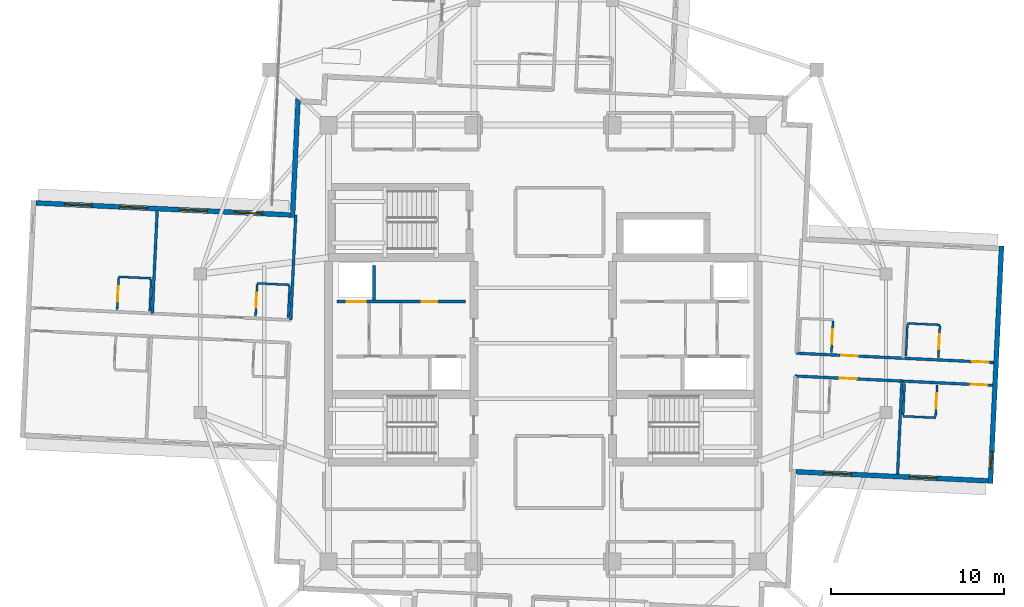
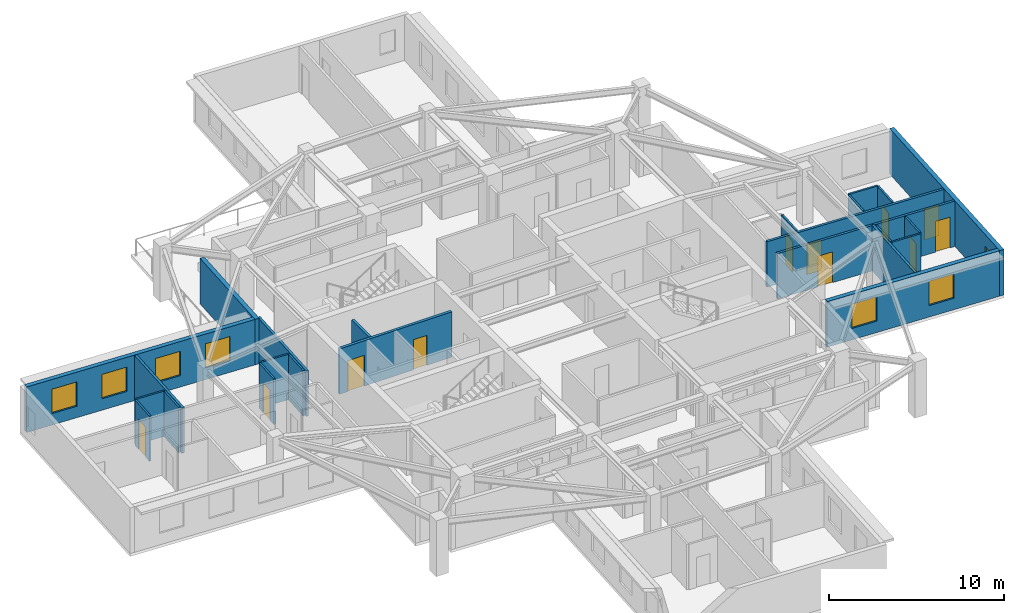
# One storey, part 6 of 12: 24 walls, 11 doors, 7 windows, 18 openings.
"""IFC4 building model written with IfcOpenShell, lengths in metres."""

from ifc_helpers import new_model, si_unit, direction, frame, frame_2d, origin, place, context, subcontext, project, spatial, rectangle, extrude, material, layer, layer_set, type_object, element, fill, save


model = new_model("IFC4")

# Units and contexts
model_context = context("Model", 3, precision=1e-05, world=origin(), true_north=direction((0.0, 1.0)))
body_context = subcontext(model_context, "Body", "Model", "MODEL_VIEW")
ifc_project = project(units=[si_unit("LENGTHUNIT", "METRE"), si_unit("AREAUNIT", "SQUARE_METRE"), si_unit("VOLUMEUNIT", "CUBIC_METRE"), si_unit("PLANEANGLEUNIT", "RADIAN"), si_unit("MASSUNIT", "GRAM", prefix="KILO")], contexts=[model_context])

# Site, building, storey
site_placement = place(None, origin())
site = spatial("IfcSite", under=ifc_project, at=site_placement, CompositionType="ELEMENT")
building_placement = place(site_placement, origin())
building = spatial("IfcBuilding", under=site, at=building_placement, Name="Qingluan Cross Belvedere", CompositionType="ELEMENT")
storey_placement = place(building_placement, frame((0.0, 0.0, 253.800048828125)))
storey = spatial("IfcBuildingStorey", under=building, at=storey_placement, Name="L63", CompositionType="ELEMENT", Elevation=253.800048828125)

# Wall, openings, doors
ifc_material_1 = material(Name="Gypsum plasterboard on steel stud acoustic partition", Category="steel")
ifc_layer_1 = layer(ifc_material_1, 0.159912109375, Name="CorridorPartition_160")
ifc_layer_set_1 = layer_set([ifc_layer_1], Name="Gypsum plasterboard on steel stud acoustic partition")
wall_type_1 = type_object("IfcWallType", Name="CorridorPartition_160", PredefinedType="PARTITIONING", material=ifc_layer_set_1)
wall_1_placement = place(storey_placement, frame((14.609375, -0.56884765625, 0.0), z_axis=(0.0, 0.0, 1.0), x_axis=(0.998889813379, -0.047107756555, 0.0)))
wall_1 = element("IfcWall", 1, at=wall_1_placement, inside=storey, type_object=wall_type_1, Name="Partition L63:E:c0", PredefinedType="PARTITIONING", context=body_context, shape_type="SweptSolid", body=[
    extrude(rectangle(XDim=11.412109375, YDim=0.159912109375, at=frame_2d((5.7060546875, 0.0))), origin(), (0.0, 0.0, 1.0), 3.169921875),
])
opening_1_placement = place(wall_1_placement, frame((2.597900390625, 0.0, 0.0)))
opening_1 = element("IfcOpeningElement", 2, at=opening_1_placement, cuts=wall_1, Name="Opening GD-10", PredefinedType="OPENING", context=body_context, shape_type="SweptSolid", body=[
    extrude(rectangle(XDim=0.9599609375, YDim=2.14990234375, at=frame_2d((0.47998046875, 1.074951171875))), frame((0.0, 0.08984375, 0.0), z_axis=(0.0, -1.0, 0.0), x_axis=(1.0, 0.0, 0.0)), (0.0, 0.0, 1.0), 0.179931640625),
])
opening_2_placement = place(wall_1_placement, frame((10.159912109375, 0.0, 0.0)))
opening_2 = element("IfcOpeningElement", 3, at=opening_2_placement, cuts=wall_1, Name="Opening GD-10", PredefinedType="OPENING", context=body_context, shape_type="SweptSolid", body=[
    extrude(rectangle(XDim=0.9599609375, YDim=2.14990234375, at=frame_2d((0.47998046875, 1.074951171875))), frame((0.0, 0.08984375, 0.0), z_axis=(0.0, -1.0, 0.0), x_axis=(1.0, 0.0, 0.0)), (0.0, 0.0, 1.0), 0.179931640625),
])
ifc_material_2 = material(Name="Timber oak fire-rated acoustic guestroom door", Category="wood")
door_type_1 = type_object("IfcDoorType", Name="GuestEntryDoor_FD60", OperationType="NOTDEFINED", PredefinedType="DOOR", material=ifc_material_2)
door_1_placement = place(opening_1_placement, origin())
door_1 = element("IfcDoor", 4, at=door_1_placement, inside=storey, type_object=door_type_1, Name="Guest entry fire door 6301", OperationType="SINGLE_SWING_LEFT", OverallHeight=2.14990234375, OverallWidth=0.9599609375, PredefinedType="DOOR", context=body_context, shape_type="SweptSolid", body=[
    extrude(rectangle(XDim=0.9599609375, YDim=2.14990234375, at=frame_2d((0.47998046875, 1.074951171875))), frame((0.0, 0.02490234375, 0.0), z_axis=(0.0, -1.0, 0.0), x_axis=(1.0, 0.0, 0.0)), (0.0, 0.0, 1.0), 0.050048828125),
])
fill(opening_1, door_1)
door_2_placement = place(opening_2_placement, origin())
door_2 = element("IfcDoor", 5, at=door_2_placement, inside=storey, type_object=door_type_1, Name="Guest entry fire door 6302", OperationType="SINGLE_SWING_LEFT", OverallHeight=2.14990234375, OverallWidth=0.9599609375, PredefinedType="DOOR", context=body_context, shape_type="SweptSolid", body=[
    extrude(rectangle(XDim=0.9599609375, YDim=2.14990234375, at=frame_2d((0.47998046875, 1.074951171875))), frame((0.0, 0.02490234375, 0.0), z_axis=(0.0, -1.0, 0.0), x_axis=(1.0, 0.0, 0.0)), (0.0, 0.0, 1.0), 0.050048828125),
])
fill(opening_2, door_2)

wall_2_placement = place(storey_placement, frame((14.547119140625, -1.887451171875, 0.0), z_axis=(0.0, 0.0, 1.0), x_axis=(0.998890819817, -0.047086410829, 0.0)))
wall_2 = element("IfcWall", 6, at=wall_2_placement, inside=storey, type_object=wall_type_1, Name="Partition L63:E:c1", PredefinedType="PARTITIONING", context=body_context, shape_type="SweptSolid", body=[
    extrude(rectangle(XDim=11.412109375, YDim=0.159912109375, at=frame_2d((5.7060546875, 0.0))), origin(), (0.0, 0.0, 1.0), 3.169921875),
])
opening_3_placement = place(wall_2_placement, frame((2.597900390625, 0.0, 0.0)))
opening_3 = element("IfcOpeningElement", 7, at=opening_3_placement, cuts=wall_2, Name="Opening GD-10", PredefinedType="OPENING", context=body_context, shape_type="SweptSolid", body=[
    extrude(rectangle(XDim=0.9599609375, YDim=2.14990234375, at=frame_2d((0.47998046875, 1.074951171875))), frame((0.0, 0.08984375, 0.0), z_axis=(0.0, -1.0, 0.0), x_axis=(1.0, 0.0, 0.0)), (0.0, 0.0, 1.0), 0.179931640625),
])
opening_4_placement = place(wall_2_placement, frame((10.159912109375, 0.0, 0.0)))
opening_4 = element("IfcOpeningElement", 8, at=opening_4_placement, cuts=wall_2, Name="Opening GD-10", PredefinedType="OPENING", context=body_context, shape_type="SweptSolid", body=[
    extrude(rectangle(XDim=0.9599609375, YDim=2.14990234375, at=frame_2d((0.47998046875, 1.074951171875))), frame((0.0, 0.08984375, 0.0), z_axis=(0.0, -1.0, 0.0), x_axis=(1.0, 0.0, 0.0)), (0.0, 0.0, 1.0), 0.179931640625),
])
door_3_placement = place(opening_3_placement, origin())
door_3 = element("IfcDoor", 9, at=door_3_placement, inside=storey, type_object=door_type_1, Name="Guest entry fire door 6303", OperationType="SINGLE_SWING_LEFT", OverallHeight=2.14990234375, OverallWidth=0.9599609375, PredefinedType="DOOR", context=body_context, shape_type="SweptSolid", body=[
    extrude(rectangle(XDim=0.9599609375, YDim=2.14990234375, at=frame_2d((0.47998046875, 1.074951171875))), frame((0.0, 0.02490234375, 0.0), z_axis=(0.0, -1.0, 0.0), x_axis=(1.0, 0.0, 0.0)), (0.0, 0.0, 1.0), 0.050048828125),
])
fill(opening_3, door_3)
door_4_placement = place(opening_4_placement, origin())
door_4 = element("IfcDoor", 10, at=door_4_placement, inside=storey, type_object=door_type_1, Name="Guest entry fire door 6304", OperationType="SINGLE_SWING_LEFT", OverallHeight=2.14990234375, OverallWidth=0.9599609375, PredefinedType="DOOR", context=body_context, shape_type="SweptSolid", body=[
    extrude(rectangle(XDim=0.9599609375, YDim=2.14990234375, at=frame_2d((0.47998046875, 1.074951171875))), frame((0.0, 0.02490234375, 0.0), z_axis=(0.0, -1.0, 0.0), x_axis=(1.0, 0.0, 0.0)), (0.0, 0.0, 1.0), 0.050048828125),
])
fill(opening_4, door_4)

# Walls
wall_3_placement = place(storey_placement, frame((20.720458984375, -2.178466796875, 0.0), z_axis=(0.0, 0.0, 1.0), x_axis=(-0.047128973049, -0.998888812581, 0.0)))
element("IfcWall", 11, at=wall_3_placement, inside=storey, type_object=wall_type_1, Name="Partition L63:E:d1_0", PredefinedType="PARTITIONING", context=body_context, shape_type="SweptSolid", body=[
    extrude(rectangle(XDim=5.371826171875, YDim=0.159912109375, at=frame_2d((2.68603515625, 0.0))), origin(), (0.0, 0.0, 1.0), 3.169921875),
])
wall_4_placement = place(storey_placement, frame((-14.57275390625, 1.347900390625, 0.0), z_axis=(0.0, 0.0, 1.0), x_axis=(0.047136383867, 0.998888462901, 0.0)))
element("IfcWall", 12, at=wall_4_placement, inside=storey, type_object=wall_type_1, Name="Partition L63:W:s0", PredefinedType="PARTITIONING", context=body_context, shape_type="SweptSolid", body=[
    extrude(rectangle(XDim=6.06005859375, YDim=0.159912109375, at=frame_2d((3.030029296875, 0.0))), origin(), (0.0, 0.0, 1.0), 3.169921875),
])
wall_5_placement = place(storey_placement, frame((-22.56787109375, 1.72509765625, 0.0), z_axis=(0.0, 0.0, 1.0), x_axis=(0.047119754893, 0.998889247464, 0.0)))
element("IfcWall", 13, at=wall_5_placement, inside=storey, type_object=wall_type_1, Name="Partition L63:W:d0_0", PredefinedType="PARTITIONING", context=body_context, shape_type="SweptSolid", body=[
    extrude(rectangle(XDim=5.911865234375, YDim=0.159912109375, at=frame_2d((2.9560546875, 0.0))), origin(), (0.0, 0.0, 1.0), 3.169921875),
])

# Wall, opening, door
ifc_material_3 = material(Name="Moisture-resistant gypsum board lining")
ifc_layer_2 = layer(ifc_material_3, 0.1201171875, Name="EnsuiteWetPartition_120")
ifc_layer_set_2 = layer_set([ifc_layer_2], Name="Moisture-resistant gypsum board lining")
wall_type_2 = type_object("IfcWallType", Name="EnsuiteWetPartition_120", PredefinedType="PARTITIONING", material=ifc_layer_set_2)
wall_6_placement = place(storey_placement, frame((16.65380859375, -0.525146484375, 0.0), z_axis=(0.0, 0.0, 1.0), x_axis=(0.047080807099, 0.998891083954, 0.0)))
wall_6 = element("IfcWall", 14, at=wall_6_placement, inside=storey, type_object=wall_type_2, Name="Partition L63:E:bs0_0", PredefinedType="PARTITIONING", context=body_context, shape_type="SweptSolid", body=[
    extrude(rectangle(XDim=1.820068359375, YDim=0.1201171875, at=frame_2d((0.91015625, 0.0))), origin(), (0.0, 0.0, 1.0), 3.169921875),
])
opening_5_placement = place(wall_6_placement, frame((0.469970703125, 0.0, 0.0)))
opening_5 = element("IfcOpeningElement", 15, at=opening_5_placement, cuts=wall_6, Name="Opening BD-09", PredefinedType="OPENING", context=body_context, shape_type="SweptSolid", body=[
    extrude(rectangle(XDim=0.8798828125, YDim=2.10009765625, at=frame_2d((0.43994140625, 1.050048828125))), frame((0.0, 0.070068359375, 0.0), z_axis=(0.0, -1.0, 0.0), x_axis=(1.0, 0.0, 0.0)), (0.0, 0.0, 1.0), 0.14013671875),
])
ifc_material_4 = material(Name="Moisture-sealed timber en-suite door", Category="wood")
door_type_2 = type_object("IfcDoorType", Name="BathroomDoor_880", OperationType="NOTDEFINED", PredefinedType="DOOR", material=ifc_material_4)
door_5_placement = place(opening_5_placement, origin())
door_5 = element("IfcDoor", 16, at=door_5_placement, inside=storey, type_object=door_type_2, Name="Bathroom door 6301", OperationType="SINGLE_SWING_RIGHT", OverallHeight=2.10009765625, OverallWidth=0.8798828125, PredefinedType="DOOR", context=body_context, shape_type="SweptSolid", body=[
    extrude(rectangle(XDim=0.8798828125, YDim=2.10009765625, at=frame_2d((0.43994140625, 1.050048828125))), frame((0.0, 0.02490234375, 0.0), z_axis=(0.0, -1.0, 0.0), x_axis=(1.0, 0.0, 0.0)), (0.0, 0.0, 1.0), 0.050048828125),
])
fill(opening_5, door_5)

wall_7_placement = place(storey_placement, frame((22.826904296875, -0.816162109375, 0.0), z_axis=(0.0, 0.0, 1.0), x_axis=(0.047087116047, 0.998890786574, 0.0)))
wall_7 = element("IfcWall", 17, at=wall_7_placement, inside=storey, type_object=wall_type_2, Name="Partition L63:E:bs0_1", PredefinedType="PARTITIONING", context=body_context, shape_type="SweptSolid", body=[
    extrude(rectangle(XDim=1.81982421875, YDim=0.1201171875, at=frame_2d((0.909912109375, 0.0))), origin(), (0.0, 0.0, 1.0), 3.169921875),
])
opening_6_placement = place(wall_7_placement, frame((0.469970703125, 0.0, 0.0)))
opening_6 = element("IfcOpeningElement", 18, at=opening_6_placement, cuts=wall_7, Name="Opening BD-09", PredefinedType="OPENING", context=body_context, shape_type="SweptSolid", body=[
    extrude(rectangle(XDim=0.8798828125, YDim=2.10009765625, at=frame_2d((0.43994140625, 1.050048828125))), frame((0.0, 0.070068359375, 0.0), z_axis=(0.0, -1.0, 0.0), x_axis=(1.0, 0.0, 0.0)), (0.0, 0.0, 1.0), 0.14013671875),
])
door_6_placement = place(opening_6_placement, origin())
door_6 = element("IfcDoor", 19, at=door_6_placement, inside=storey, type_object=door_type_2, Name="Bathroom door 6302", OperationType="SINGLE_SWING_RIGHT", OverallHeight=2.10009765625, OverallWidth=0.8798828125, PredefinedType="DOOR", context=body_context, shape_type="SweptSolid", body=[
    extrude(rectangle(XDim=0.8798828125, YDim=2.10009765625, at=frame_2d((0.43994140625, 1.050048828125))), frame((0.0, 0.02490234375, 0.0), z_axis=(0.0, -1.0, 0.0), x_axis=(1.0, 0.0, 0.0)), (0.0, 0.0, 1.0), 0.050048828125),
])
fill(opening_6, door_6)

# Walls
wall_8_placement = place(storey_placement, frame((20.948974609375, -0.7275390625, 0.0), z_axis=(0.0, 0.0, 1.0), x_axis=(0.047087116047, 0.998890786574, 0.0)))
element("IfcWall", 20, at=wall_8_placement, inside=storey, type_object=wall_type_2, Name="Partition L63:E:bw0_1", PredefinedType="PARTITIONING", context=body_context, shape_type="SweptSolid", body=[
    extrude(rectangle(XDim=1.81982421875, YDim=0.1201171875, at=frame_2d((0.909912109375, 0.0))), origin(), (0.0, 0.0, 1.0), 3.169921875),
])
wall_9_placement = place(storey_placement, frame((21.037841796875, 1.1552734375, 0.0), z_axis=(0.0, 0.0, 1.0), x_axis=(0.998888319371, -0.047139425368, 0.0)))
element("IfcWall", 21, at=wall_9_placement, inside=storey, type_object=wall_type_2, Name="Partition L63:E:bn0_1", PredefinedType="PARTITIONING", context=body_context, shape_type="SweptSolid", body=[
    extrude(rectangle(XDim=1.880126953125, YDim=0.1201171875, at=frame_2d((0.93994140625, 0.0))), origin(), (0.0, 0.0, 1.0), 3.169921875),
])

# Wall, opening, door
wall_10_placement = place(storey_placement, frame((22.665771484375, -4.232421875, 0.0), z_axis=(0.0, 0.0, 1.0), x_axis=(0.047080807099, 0.998891083954, 0.0)))
wall_10 = element("IfcWall", 22, at=wall_10_placement, inside=storey, type_object=wall_type_2, Name="Partition L63:E:bs1_1", PredefinedType="PARTITIONING", context=body_context, shape_type="SweptSolid", body=[
    extrude(rectangle(XDim=1.820068359375, YDim=0.1201171875, at=frame_2d((0.91015625, 0.0))), origin(), (0.0, 0.0, 1.0), 3.169921875),
])
opening_7_placement = place(wall_10_placement, frame((0.469970703125, 0.0, 0.0)))
opening_7 = element("IfcOpeningElement", 23, at=opening_7_placement, cuts=wall_10, Name="Opening BD-09", PredefinedType="OPENING", context=body_context, shape_type="SweptSolid", body=[
    extrude(rectangle(XDim=0.8798828125, YDim=2.10009765625, at=frame_2d((0.43994140625, 1.050048828125))), frame((0.0, 0.070068359375, 0.0), z_axis=(0.0, -1.0, 0.0), x_axis=(1.0, 0.0, 0.0)), (0.0, 0.0, 1.0), 0.14013671875),
])
door_7_placement = place(opening_7_placement, origin())
door_7 = element("IfcDoor", 24, at=door_7_placement, inside=storey, type_object=door_type_2, Name="Bathroom door 6304", OperationType="SINGLE_SWING_RIGHT", OverallHeight=2.10009765625, OverallWidth=0.8798828125, PredefinedType="DOOR", context=body_context, shape_type="SweptSolid", body=[
    extrude(rectangle(XDim=0.8798828125, YDim=2.10009765625, at=frame_2d((0.43994140625, 1.050048828125))), frame((0.0, 0.02490234375, 0.0), z_axis=(0.0, -1.0, 0.0), x_axis=(1.0, 0.0, 0.0)), (0.0, 0.0, 1.0), 0.050048828125),
])
fill(opening_7, door_7)

# Walls
wall_11_placement = place(storey_placement, frame((20.787841796875, -4.143798828125, 0.0), z_axis=(0.0, 0.0, 1.0), x_axis=(0.047087116047, 0.998890786574, 0.0)))
element("IfcWall", 25, at=wall_11_placement, inside=storey, type_object=wall_type_2, Name="Partition L63:E:bw1_1", PredefinedType="PARTITIONING", context=body_context, shape_type="SweptSolid", body=[
    extrude(rectangle(XDim=1.81982421875, YDim=0.1201171875, at=frame_2d((0.909912109375, 0.0))), origin(), (0.0, 0.0, 1.0), 3.169921875),
])
wall_12_placement = place(storey_placement, frame((20.784912109375, -4.208740234375, 0.0), z_axis=(0.0, 0.0, 1.0), x_axis=(0.998888030748, -0.047145540913, 0.0)))
element("IfcWall", 26, at=wall_12_placement, inside=storey, type_object=wall_type_2, Name="Partition L63:E:bc1_1", PredefinedType="PARTITIONING", context=body_context, shape_type="SweptSolid", body=[
    extrude(rectangle(XDim=1.8798828125, YDim=0.1201171875, at=frame_2d((0.93994140625, 0.0))), origin(), (0.0, 0.0, 1.0), 3.169921875),
])

# Wall, opening, door
wall_13_placement = place(storey_placement, frame((-16.603759765625, 1.583984375, 0.0), z_axis=(0.0, 0.0, 1.0), x_axis=(0.047087116047, 0.998890786574, 0.0)))
wall_13 = element("IfcWall", 27, at=wall_13_placement, inside=storey, type_object=wall_type_2, Name="Partition L63:W:bs0_0", PredefinedType="PARTITIONING", context=body_context, shape_type="SweptSolid", body=[
    extrude(rectangle(XDim=1.81982421875, YDim=0.1201171875, at=frame_2d((0.909912109375, 0.0))), origin(), (0.0, 0.0, 1.0), 3.169921875),
])
opening_8_placement = place(wall_13_placement, frame((0.469970703125, 0.0, 0.0)))
opening_8 = element("IfcOpeningElement", 28, at=opening_8_placement, cuts=wall_13, Name="Opening BD-09", PredefinedType="OPENING", context=body_context, shape_type="SweptSolid", body=[
    extrude(rectangle(XDim=0.8798828125, YDim=2.10009765625, at=frame_2d((0.43994140625, 1.050048828125))), frame((0.0, 0.070068359375, 0.0), z_axis=(0.0, -1.0, 0.0), x_axis=(1.0, 0.0, 0.0)), (0.0, 0.0, 1.0), 0.14013671875),
])
door_8_placement = place(opening_8_placement, origin())
door_8 = element("IfcDoor", 29, at=door_8_placement, inside=storey, type_object=door_type_2, Name="Bathroom door 6305", OperationType="SINGLE_SWING_RIGHT", OverallHeight=2.10009765625, OverallWidth=0.8798828125, PredefinedType="DOOR", context=body_context, shape_type="SweptSolid", body=[
    extrude(rectangle(XDim=0.8798828125, YDim=2.10009765625, at=frame_2d((0.43994140625, 1.050048828125))), frame((0.0, 0.02490234375, 0.0), z_axis=(0.0, -1.0, 0.0), x_axis=(1.0, 0.0, 0.0)), (0.0, 0.0, 1.0), 0.050048828125),
])
fill(opening_8, door_8)

# Walls
wall_14_placement = place(storey_placement, frame((-14.725830078125, 1.495361328125, 0.0), z_axis=(0.0, 0.0, 1.0), x_axis=(0.047087116047, 0.998890786574, 0.0)))
element("IfcWall", 30, at=wall_14_placement, inside=storey, type_object=wall_type_2, Name="Partition L63:W:bw0_0", PredefinedType="PARTITIONING", context=body_context, shape_type="SweptSolid", body=[
    extrude(rectangle(XDim=1.81982421875, YDim=0.1201171875, at=frame_2d((0.909912109375, 0.0))), origin(), (0.0, 0.0, 1.0), 3.169921875),
])
wall_15_placement = place(storey_placement, frame((-14.63720703125, 3.37841796875, 0.0), z_axis=(0.0, 0.0, 1.0), x_axis=(-0.998894138717, 0.04701595088, 0.0)))
element("IfcWall", 31, at=wall_15_placement, inside=storey, type_object=wall_type_2, Name="Partition L63:W:bn0_0", PredefinedType="PARTITIONING", context=body_context, shape_type="SweptSolid", body=[
    extrude(rectangle(XDim=1.8798828125, YDim=0.1201171875, at=frame_2d((0.93994140625, 0.0))), origin(), (0.0, 0.0, 1.0), 3.169921875),
])

# Wall, opening, door
wall_16_placement = place(storey_placement, frame((-24.598876953125, 1.9609375, 0.0), z_axis=(0.0, 0.0, 1.0), x_axis=(0.047087116047, 0.998890786574, 0.0)))
wall_16 = element("IfcWall", 32, at=wall_16_placement, inside=storey, type_object=wall_type_2, Name="Partition L63:W:bs0_1", PredefinedType="PARTITIONING", context=body_context, shape_type="SweptSolid", body=[
    extrude(rectangle(XDim=1.81982421875, YDim=0.1201171875, at=frame_2d((0.909912109375, 0.0))), origin(), (0.0, 0.0, 1.0), 3.169921875),
])
opening_9_placement = place(wall_16_placement, frame((0.469970703125, 0.0, 0.0)))
opening_9 = element("IfcOpeningElement", 33, at=opening_9_placement, cuts=wall_16, Name="Opening BD-09", PredefinedType="OPENING", context=body_context, shape_type="SweptSolid", body=[
    extrude(rectangle(XDim=0.8798828125, YDim=2.10009765625, at=frame_2d((0.43994140625, 1.050048828125))), frame((0.0, 0.070068359375, 0.0), z_axis=(0.0, -1.0, 0.0), x_axis=(1.0, 0.0, 0.0)), (0.0, 0.0, 1.0), 0.14013671875),
])
door_9_placement = place(opening_9_placement, origin())
door_9 = element("IfcDoor", 34, at=door_9_placement, inside=storey, type_object=door_type_2, Name="Bathroom door 6306", OperationType="SINGLE_SWING_RIGHT", OverallHeight=2.10009765625, OverallWidth=0.8798828125, PredefinedType="DOOR", context=body_context, shape_type="SweptSolid", body=[
    extrude(rectangle(XDim=0.8798828125, YDim=2.10009765625, at=frame_2d((0.43994140625, 1.050048828125))), frame((0.0, 0.02490234375, 0.0), z_axis=(0.0, -1.0, 0.0), x_axis=(1.0, 0.0, 0.0)), (0.0, 0.0, 1.0), 0.050048828125),
])
fill(opening_9, door_9)

# Walls
wall_17_placement = place(storey_placement, frame((-22.720947265625, 1.872314453125, 0.0), z_axis=(0.0, 0.0, 1.0), x_axis=(0.047080807099, 0.998891083954, 0.0)))
element("IfcWall", 35, at=wall_17_placement, inside=storey, type_object=wall_type_2, Name="Partition L63:W:bw0_1", PredefinedType="PARTITIONING", context=body_context, shape_type="SweptSolid", body=[
    extrude(rectangle(XDim=1.820068359375, YDim=0.1201171875, at=frame_2d((0.91015625, 0.0))), origin(), (0.0, 0.0, 1.0), 3.169921875),
])
wall_18_placement = place(storey_placement, frame((-22.632080078125, 3.75537109375, 0.0), z_axis=(0.0, 0.0, 1.0), x_axis=(-0.998888319371, 0.047139425368, 0.0)))
element("IfcWall", 36, at=wall_18_placement, inside=storey, type_object=wall_type_2, Name="Partition L63:W:bn0_1", PredefinedType="PARTITIONING", context=body_context, shape_type="SweptSolid", body=[
    extrude(rectangle(XDim=1.880126953125, YDim=0.1201171875, at=frame_2d((0.93994140625, 0.0))), origin(), (0.0, 0.0, 1.0), 3.169921875),
])

# Wall, openings, windows
ifc_material_5 = material(Name="Precast concrete C45", Category="concrete")
ifc_layer_3 = layer(ifc_material_5, 0.280029296875, Name="PrecastFacadeWall_280")
ifc_layer_set_3 = layer_set([ifc_layer_3], Name="Precast concrete C45")
wall_type_3 = type_object("IfcWallType", Name="PrecastFacadeWall_280", PredefinedType="STANDARD", material=ifc_layer_set_3)
wall_19_placement = place(storey_placement, frame((14.60693359375, -7.416259765625, 0.0), z_axis=(0.0, 0.0, 1.0), x_axis=(0.998889582088, -0.047112660681, 0.0)))
wall_19 = element("IfcWall", 37, at=wall_19_placement, inside=storey, type_object=wall_type_3, Name="Facade wall L63-EA", PredefinedType="STANDARD", context=body_context, shape_type="SweptSolid", body=[
    extrude(rectangle(XDim=11.099853515625, YDim=0.280029296875, at=frame_2d((5.5498046875, 0.0))), origin(), (0.0, 0.0, 1.0), 3.179931640625),
])
opening_10_placement = place(wall_19_placement, frame((1.60009765625, 0.0, 0.800048828125)))
opening_10 = element("IfcOpeningElement", 38, at=opening_10_placement, cuts=wall_19, Name="Opening W-04", PredefinedType="OPENING", context=body_context, shape_type="SweptSolid", body=[
    extrude(rectangle(XDim=1.60009765625, YDim=1.699951171875, at=frame_2d((0.800048828125, 0.85009765625))), frame((0.0, 0.14990234375, 0.0), z_axis=(0.0, -1.0, 0.0), x_axis=(1.0, 0.0, 0.0)), (0.0, 0.0, 1.0), 0.300048828125),
])
opening_11_placement = place(wall_19_placement, frame((6.550048828125, 0.0, 0.800048828125)))
opening_11 = element("IfcOpeningElement", 39, at=opening_11_placement, cuts=wall_19, Name="Opening W-04", PredefinedType="OPENING", context=body_context, shape_type="SweptSolid", body=[
    extrude(rectangle(XDim=1.60009765625, YDim=1.699951171875, at=frame_2d((0.800048828125, 0.85009765625))), frame((0.0, 0.14990234375, 0.0), z_axis=(0.0, -1.0, 0.0), x_axis=(1.0, 0.0, 0.0)), (0.0, 0.0, 1.0), 0.300048828125),
])
ifc_material_6 = material(Name="Thermally broken triple Low-E glass in aluminium frame", Category="aluminium")
window_type_1 = type_object("IfcWindowType", Name="SuiteCornerWin_1600x1700", PartitioningType="SINGLE_PANEL", PredefinedType="WINDOW", material=ifc_material_6)
window_1_placement = place(opening_10_placement, origin())
window_1 = element("IfcWindow", 40, at=window_1_placement, inside=storey, type_object=window_type_1, Name="Ribbon window L63-EA-1", OverallHeight=1.699951171875, OverallWidth=1.60009765625, PartitioningType="SINGLE_PANEL", PredefinedType="WINDOW", context=body_context, shape_type="SweptSolid", body=[
    extrude(rectangle(XDim=1.60009765625, YDim=1.699951171875, at=frame_2d((0.800048828125, 0.85009765625))), frame((0.0, 0.030029296875, 0.0), z_axis=(0.0, -1.0, 0.0), x_axis=(1.0, 0.0, 0.0)), (0.0, 0.0, 1.0), 0.06005859375),
])
fill(opening_10, window_1)
window_2_placement = place(opening_11_placement, origin())
window_2 = element("IfcWindow", 41, at=window_2_placement, inside=storey, type_object=window_type_1, Name="Ribbon window L63-EA-2", OverallHeight=1.699951171875, OverallWidth=1.60009765625, PartitioningType="SINGLE_PANEL", PredefinedType="WINDOW", context=body_context, shape_type="SweptSolid", body=[
    extrude(rectangle(XDim=1.60009765625, YDim=1.699951171875, at=frame_2d((0.800048828125, 0.85009765625))), frame((0.0, 0.030029296875, 0.0), z_axis=(0.0, -1.0, 0.0), x_axis=(1.0, 0.0, 0.0)), (0.0, 0.0, 1.0), 0.06005859375),
])
fill(opening_11, window_2)

# Wall, opening, window
wall_20_placement = place(storey_placement, frame((25.827880859375, -8.085693359375, 0.0), z_axis=(0.0, 0.0, 1.0), x_axis=(0.047101845086, 0.998890092147, 0.0)))
wall_20 = element("IfcWall", 42, at=wall_20_placement, inside=storey, type_object=wall_type_3, Name="Arm tip precast facade wall L63-E", PredefinedType="STANDARD", context=body_context, shape_type="SweptSolid", body=[
    extrude(rectangle(XDim=13.719970703125, YDim=0.280029296875, at=frame_2d((6.85986328125, 0.0))), origin(), (0.0, 0.0, 1.0), 3.179931640625),
])
opening_12_placement = place(wall_20_placement, frame((0.85009765625, 0.0, 0.85009765625)))
opening_12 = element("IfcOpeningElement", 43, at=opening_12_placement, cuts=wall_20, Name="Opening W-03", PredefinedType="OPENING", context=body_context, shape_type="SweptSolid", body=[
    extrude(rectangle(XDim=1.0, YDim=1.5, at=frame_2d((0.5, 0.75))), frame((0.0, 0.14990234375, 0.0), z_axis=(0.0, -1.0, 0.0), x_axis=(1.0, 0.0, 0.0)), (0.0, 0.0, 1.0), 0.300048828125),
])
ifc_material_7 = material(Name="Thermally broken triple Low-E glass in aluminium frame", Category="aluminium")
window_type_2 = type_object("IfcWindowType", Name="TriApexWin_1000x1500", PartitioningType="SINGLE_PANEL", PredefinedType="WINDOW", material=ifc_material_7)
window_3_placement = place(opening_12_placement, origin())
window_3 = element("IfcWindow", 44, at=window_3_placement, inside=storey, type_object=window_type_2, Name="Arm tip triangular window L63-E", OverallHeight=1.5, OverallWidth=1.0, PartitioningType="SINGLE_PANEL", PredefinedType="WINDOW", context=body_context, shape_type="SweptSolid", body=[
    extrude(rectangle(XDim=1.0, YDim=1.5, at=frame_2d((0.5, 0.75))), frame((0.0, 0.030029296875, 0.0), z_axis=(0.0, -1.0, 0.0), x_axis=(1.0, 0.0, 0.0)), (0.0, 0.0, 1.0), 0.06005859375),
])
fill(opening_12, window_3)

# Wall, openings, windows
wall_21_placement = place(storey_placement, frame((-14.60693359375, 7.416259765625, 0.0), z_axis=(0.0, 0.0, 1.0), x_axis=(-0.998889342735, 0.047117735191, 0.0)))
wall_21 = element("IfcWall", 45, at=wall_21_placement, inside=storey, type_object=wall_type_3, Name="Facade wall L63-WA", PredefinedType="STANDARD", context=body_context, shape_type="SweptSolid", body=[
    extrude(rectangle(XDim=14.699951171875, YDim=0.280029296875, at=frame_2d((7.35009765625, 0.0))), origin(), (0.0, 0.0, 1.0), 3.179931640625),
])
opening_13_placement = place(wall_21_placement, frame((1.60009765625, 0.0, 0.800048828125)))
opening_13 = element("IfcOpeningElement", 46, at=opening_13_placement, cuts=wall_21, Name="Opening W-04", PredefinedType="OPENING", context=body_context, shape_type="SweptSolid", body=[
    extrude(rectangle(XDim=1.60009765625, YDim=1.699951171875, at=frame_2d((0.800048828125, 0.85009765625))), frame((0.0, 0.14990234375, 0.0), z_axis=(0.0, -1.0, 0.0), x_axis=(1.0, 0.0, 0.0)), (0.0, 0.0, 1.0), 0.300048828125),
])
opening_14_placement = place(wall_21_placement, frame((4.800048828125, 0.0, 0.800048828125)))
opening_14 = element("IfcOpeningElement", 47, at=opening_14_placement, cuts=wall_21, Name="Opening W-04", PredefinedType="OPENING", context=body_context, shape_type="SweptSolid", body=[
    extrude(rectangle(XDim=1.60009765625, YDim=1.699951171875, at=frame_2d((0.800048828125, 0.85009765625))), frame((0.0, 0.14990234375, 0.0), z_axis=(0.0, -1.0, 0.0), x_axis=(1.0, 0.0, 0.0)), (0.0, 0.0, 1.0), 0.300048828125),
])
opening_15_placement = place(wall_21_placement, frame((8.25, 0.0, 0.800048828125)))
opening_15 = element("IfcOpeningElement", 48, at=opening_15_placement, cuts=wall_21, Name="Opening W-04", PredefinedType="OPENING", context=body_context, shape_type="SweptSolid", body=[
    extrude(rectangle(XDim=1.60009765625, YDim=1.699951171875, at=frame_2d((0.800048828125, 0.85009765625))), frame((0.0, 0.14990234375, 0.0), z_axis=(0.0, -1.0, 0.0), x_axis=(1.0, 0.0, 0.0)), (0.0, 0.0, 1.0), 0.300048828125),
])
opening_16_placement = place(wall_21_placement, frame((11.449951171875, 0.0, 0.800048828125)))
opening_16 = element("IfcOpeningElement", 49, at=opening_16_placement, cuts=wall_21, Name="Opening W-04", PredefinedType="OPENING", context=body_context, shape_type="SweptSolid", body=[
    extrude(rectangle(XDim=1.60009765625, YDim=1.699951171875, at=frame_2d((0.800048828125, 0.85009765625))), frame((0.0, 0.14990234375, 0.0), z_axis=(0.0, -1.0, 0.0), x_axis=(1.0, 0.0, 0.0)), (0.0, 0.0, 1.0), 0.300048828125),
])
window_4_placement = place(opening_13_placement, origin())
window_4 = element("IfcWindow", 50, at=window_4_placement, inside=storey, type_object=window_type_1, Name="Ribbon window L63-WA-1", OverallHeight=1.699951171875, OverallWidth=1.60009765625, PartitioningType="SINGLE_PANEL", PredefinedType="WINDOW", context=body_context, shape_type="SweptSolid", body=[
    extrude(rectangle(XDim=1.60009765625, YDim=1.699951171875, at=frame_2d((0.800048828125, 0.85009765625))), frame((0.0, 0.030029296875, 0.0), z_axis=(0.0, -1.0, 0.0), x_axis=(1.0, 0.0, 0.0)), (0.0, 0.0, 1.0), 0.06005859375),
])
fill(opening_13, window_4)
window_5_placement = place(opening_14_placement, origin())
window_5 = element("IfcWindow", 51, at=window_5_placement, inside=storey, type_object=window_type_1, Name="Ribbon window L63-WA-2", OverallHeight=1.699951171875, OverallWidth=1.60009765625, PartitioningType="SINGLE_PANEL", PredefinedType="WINDOW", context=body_context, shape_type="SweptSolid", body=[
    extrude(rectangle(XDim=1.60009765625, YDim=1.699951171875, at=frame_2d((0.800048828125, 0.85009765625))), frame((0.0, 0.030029296875, 0.0), z_axis=(0.0, -1.0, 0.0), x_axis=(1.0, 0.0, 0.0)), (0.0, 0.0, 1.0), 0.06005859375),
])
fill(opening_14, window_5)
window_6_placement = place(opening_15_placement, origin())
window_6 = element("IfcWindow", 52, at=window_6_placement, inside=storey, type_object=window_type_1, Name="Ribbon window L63-WA-3", OverallHeight=1.699951171875, OverallWidth=1.60009765625, PartitioningType="SINGLE_PANEL", PredefinedType="WINDOW", context=body_context, shape_type="SweptSolid", body=[
    extrude(rectangle(XDim=1.60009765625, YDim=1.699951171875, at=frame_2d((0.800048828125, 0.85009765625))), frame((0.0, 0.030029296875, 0.0), z_axis=(0.0, -1.0, 0.0), x_axis=(1.0, 0.0, 0.0)), (0.0, 0.0, 1.0), 0.06005859375),
])
fill(opening_15, window_6)
window_7_placement = place(opening_16_placement, origin())
window_7 = element("IfcWindow", 53, at=window_7_placement, inside=storey, type_object=window_type_1, Name="Ribbon window L63-WA-4", OverallHeight=1.699951171875, OverallWidth=1.60009765625, PartitioningType="SINGLE_PANEL", PredefinedType="WINDOW", context=body_context, shape_type="SweptSolid", body=[
    extrude(rectangle(XDim=1.60009765625, YDim=1.699951171875, at=frame_2d((0.800048828125, 0.85009765625))), frame((0.0, 0.030029296875, 0.0), z_axis=(0.0, -1.0, 0.0), x_axis=(1.0, 0.0, 0.0)), (0.0, 0.0, 1.0), 0.06005859375),
])
fill(opening_16, window_7)

# Wall
wall_22_placement = place(storey_placement, frame((-14.4736328125, 7.27001953125, 0.0), z_axis=(0.0, 0.0, 1.0), x_axis=(0.04712043756, 0.998889215261, 0.0)))
element("IfcWall", 54, at=wall_22_placement, inside=storey, type_object=wall_type_3, Name="Corner wall L63-NW1", PredefinedType="STANDARD", context=body_context, shape_type="SweptSolid", body=[
    extrude(rectangle(XDim=6.85986328125, YDim=0.280029296875, at=frame_2d((3.429931640625, 0.0))), origin(), (0.0, 0.0, 1.0), 3.179931640625),
])

# Wall, openings, doors
ifc_material_8 = material(Name="Concrete C40", Category="concrete")
ifc_layer_4 = layer(ifc_material_8, 0.219970703125, Name="ShaftEnclosureWall_250")
ifc_layer_set_4 = layer_set([ifc_layer_4], Name="Concrete C40")
wall_type_4 = type_object("IfcWallType", Name="ShaftEnclosureWall_250", PredefinedType="SOLIDWALL", material=ifc_layer_set_4)
wall_23_placement = place(storey_placement, frame((-11.89990234375, 2.409912109375, 0.0), z_axis=(0.0, 0.0, 1.0), x_axis=(1.0, 0.0, 0.0)))
wall_23 = element("IfcWall", 55, at=wall_23_placement, inside=storey, type_object=wall_type_4, Name="Core-W north hoistway wall L63", PredefinedType="SOLIDWALL", context=body_context, shape_type="SweptSolid", body=[
    extrude(rectangle(XDim=7.419921875, YDim=0.179931640625, at=frame_2d((3.7099609375, 0.0))), origin(), (0.0, 0.0, 1.0), 3.169921875),
])
opening_17_placement = place(wall_23_placement, frame((0.550048828125, 0.0, 0.0)))
opening_17 = element("IfcOpeningElement", 56, at=opening_17_placement, cuts=wall_23, Name="Opening LD-11", PredefinedType="OPENING", context=body_context, shape_type="SweptSolid", body=[
    extrude(rectangle(XDim=1.10009765625, YDim=2.14990234375, at=frame_2d((0.550048828125, 1.074951171875))), frame((0.0, 0.099853515625, 0.0), z_axis=(0.0, -1.0, 0.0), x_axis=(1.0, 0.0, 0.0)), (0.0, 0.0, 1.0), 0.199951171875),
])
opening_18_placement = place(wall_23_placement, frame((4.89990234375, 0.0, 0.0)))
opening_18 = element("IfcOpeningElement", 57, at=opening_18_placement, cuts=wall_23, Name="Opening FD-B10", PredefinedType="OPENING", context=body_context, shape_type="SweptSolid", body=[
    extrude(rectangle(XDim=0.8798828125, YDim=2.10009765625, at=frame_2d((0.43994140625, 1.050048828125))), frame((0.0, 0.099853515625, 0.0), z_axis=(0.0, -1.0, 0.0), x_axis=(1.0, 0.0, 0.0)), (0.0, 0.0, 1.0), 0.199951171875),
])
ifc_material_9 = material(Name="Brushed stainless steel centre-opening lift landing door", Category="steel")
door_type_3 = type_object("IfcDoorType", Name="LiftLandingSlidingDoor_1100", OperationType="DOUBLE_DOOR_SLIDING", PredefinedType="DOOR", material=ifc_material_9)
door_10_placement = place(opening_17_placement, origin())
door_10 = element("IfcDoor", 58, at=door_10_placement, inside=storey, type_object=door_type_3, Name="Lift landing sliding door FL1 L63", OperationType="DOUBLE_DOOR_SLIDING", OverallHeight=2.14990234375, OverallWidth=1.10009765625, PredefinedType="DOOR", context=body_context, shape_type="SweptSolid", body=[
    extrude(rectangle(XDim=1.10009765625, YDim=2.14990234375, at=frame_2d((0.550048828125, 1.074951171875))), frame((0.0, 0.02490234375, 0.0), z_axis=(0.0, -1.0, 0.0), x_axis=(1.0, 0.0, 0.0)), (0.0, 0.0, 1.0), 0.050048828125),
])
fill(opening_17, door_10)
ifc_material_10 = material(Name="Steel Class B service fire door", Category="steel")
door_type_4 = type_object("IfcDoorType", Name="RiserServiceFireDoor_FDB", OperationType="NOTDEFINED", PredefinedType="DOOR", material=ifc_material_10)
door_11_placement = place(opening_18_placement, origin())
door_11 = element("IfcDoor", 59, at=door_11_placement, inside=storey, type_object=door_type_4, Name="Housekeeping supply room door W L63", OperationType="SINGLE_SWING_RIGHT", OverallHeight=2.10009765625, OverallWidth=0.8798828125, PredefinedType="DOOR", context=body_context, shape_type="SweptSolid", body=[
    extrude(rectangle(XDim=0.8798828125, YDim=2.10009765625, at=frame_2d((0.43994140625, 1.050048828125))), frame((0.0, 0.02490234375, 0.0), z_axis=(0.0, -1.0, 0.0), x_axis=(1.0, 0.0, 0.0)), (0.0, 0.0, 1.0), 0.050048828125),
])
fill(opening_18, door_11)

# Wall
wall_24_placement = place(storey_placement, frame((-9.760009765625, 2.5, 0.0), z_axis=(0.0, 0.0, 1.0), x_axis=(0.0, 1.0, 0.0)))
element("IfcWall", 60, at=wall_24_placement, inside=storey, type_object=wall_type_4, Name="Hoistway enclosure divider FL1E L63", PredefinedType="SOLIDWALL", context=body_context, shape_type="SweptSolid", body=[
    extrude(rectangle(XDim=1.989990234375, YDim=0.179931640625, at=frame_2d((0.9951171875, 0.0))), origin(), (0.0, 0.0, 1.0), 3.169921875),
])

save(model, "model.ifc")
